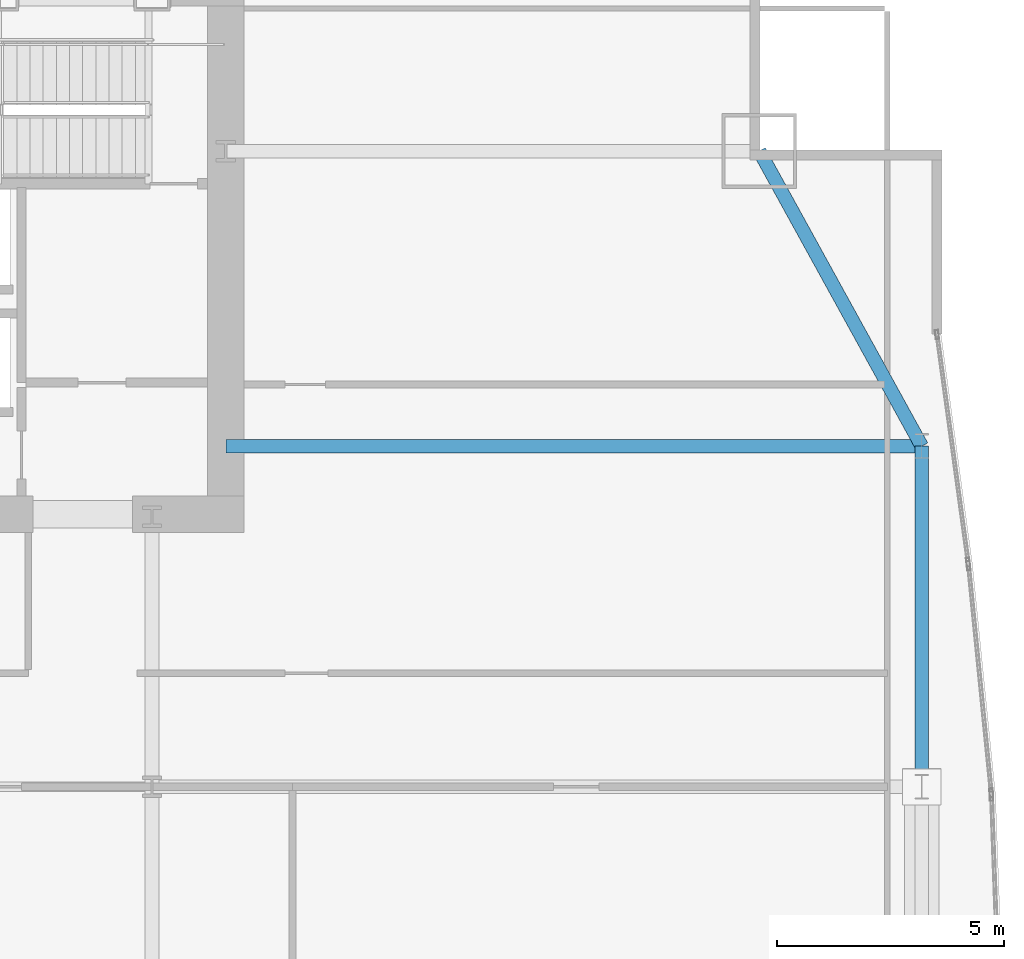
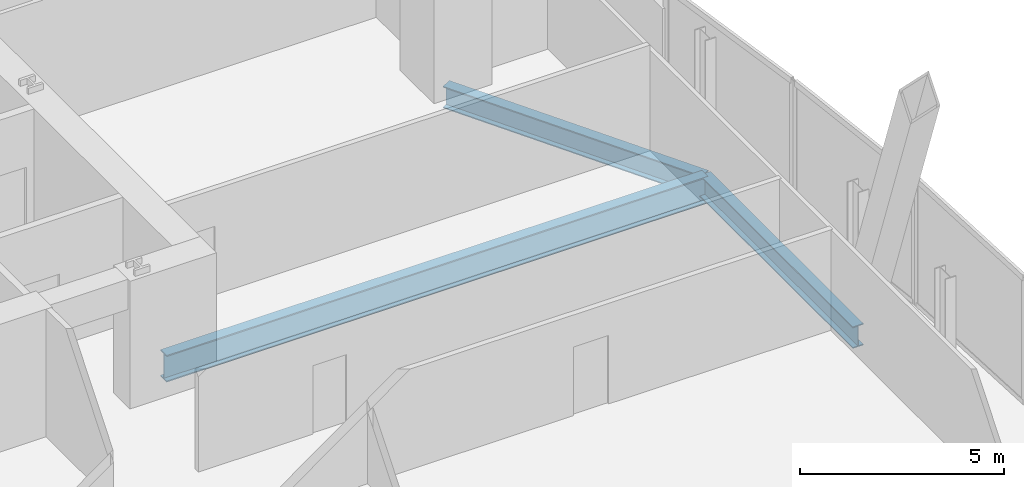
# One storey, part 24 of 35: 3 beams.
"""IFC4 building model written with IfcOpenShell, lengths in metres."""

from ifc_helpers import new_model, si_unit, direction, frame, origin, origin_2d, place, context, subcontext, project, spatial, i_section, extrude, material, material_profile, profile_set, type_object, element, save


model = new_model("IFC4")

# Units and contexts
model_context = context("Model", 3, precision=1e-05, world=origin(), true_north=direction((0.0, 1.0)))
body_context = subcontext(model_context, "Body", "Model", "MODEL_VIEW")
ifc_project = project(units=[si_unit("LENGTHUNIT", "METRE"), si_unit("AREAUNIT", "SQUARE_METRE"), si_unit("VOLUMEUNIT", "CUBIC_METRE"), si_unit("PLANEANGLEUNIT", "RADIAN"), si_unit("MASSUNIT", "GRAM", prefix="KILO")], contexts=[model_context])

# Site, building, storey
site_placement = place(None, origin())
site = spatial("IfcSite", under=ifc_project, at=site_placement, CompositionType="ELEMENT")
building_placement = place(site_placement, origin())
building = spatial("IfcBuilding", under=site, at=building_placement, Name="Khoronbel Lancet Exchange", CompositionType="ELEMENT")
storey_placement = place(building_placement, frame((0.0, 0.0, 37.800048828125)))
storey = spatial("IfcBuildingStorey", under=building, at=storey_placement, Name="L08", CompositionType="ELEMENT", Elevation=37.800048828125)

# Beams
ifc_material = material(Name="Steel S355", Category="steel")
ifc_material_profile_1 = material_profile(ifc_material, i_section(OverallWidth=0.300048828125, OverallDepth=0.800048828125, WebThickness=0.017578125, FlangeThickness=0.032958984375, at=origin_2d()), Name="HEB 800")
ifc_profile_set_1 = profile_set([ifc_material_profile_1], Name="Steel S355")
beam_type_1 = type_object("IfcBeamType", Name="BM-BG2", PredefinedType="BEAM", material=ifc_profile_set_1)
beam_1_placement = place(storey_placement, frame((56.300048828125, 43.199951171875, -0.580078125), z_axis=(1.0, 0.0, 0.0), x_axis=(0.0, 1.0, 0.0)))
element("IfcBeam", 1, at=beam_1_placement, inside=storey, type_object=beam_type_1, Name="Level L08 east lens tie girder LG3E", PredefinedType="BEAM", context=body_context, shape_type="SweptSolid", body=[
    extrude(i_section(OverallWidth=0.300048828125, OverallDepth=0.800048828125, WebThickness=0.017578125, FlangeThickness=0.032958984375, at=origin_2d()), origin(), (0.0, 0.0, 1.0), 15.329833984375),
])
ifc_material_profile_2 = material_profile(ifc_material, i_section(OverallWidth=0.300048828125, OverallDepth=0.64990234375, WebThickness=0.01611328125, FlangeThickness=0.031005859375, at=origin_2d()), Name="HEB 650")
ifc_profile_set_2 = profile_set([ifc_material_profile_2], Name="Steel S355")
beam_type_2 = type_object("IfcBeamType", Name="BM-BSP1", PredefinedType="SPANDREL", material=ifc_profile_set_2)
beam_2_placement = place(storey_placement, frame((71.6298828125, 35.699951171875, -0.505126953125), z_axis=(0.0, 1.0, 0.0), x_axis=(-1.0, 0.0, 0.0)))
element("IfcBeam", 2, at=beam_2_placement, inside=storey, type_object=beam_type_2, Name="Level L08 perimeter spandrel beam SP14", PredefinedType="SPANDREL", context=body_context, shape_type="SweptSolid", body=[
    extrude(i_section(OverallWidth=0.300048828125, OverallDepth=0.64990234375, WebThickness=0.01611328125, FlangeThickness=0.031005859375, at=origin_2d()), origin(), (0.0, 0.0, 1.0), 7.5),
])
beam_3_placement = place(storey_placement, frame((71.6298828125, 43.199951171875, -0.505126953125), z_axis=(-0.482418808117, 0.875940690672, 0.0), x_axis=(-0.875940690672, -0.482418808117, 0.0)))
element("IfcBeam", 3, at=beam_3_placement, inside=storey, type_object=beam_type_2, Name="Level L08 perimeter spandrel beam SP15", PredefinedType="SPANDREL", context=body_context, shape_type="SweptSolid", body=[
    extrude(i_section(OverallWidth=0.300048828125, OverallDepth=0.64990234375, WebThickness=0.01611328125, FlangeThickness=0.031005859375, at=origin_2d()), origin(), (0.0, 0.0, 1.0), 7.420654296875),
])

save(model, "model.ifc")
